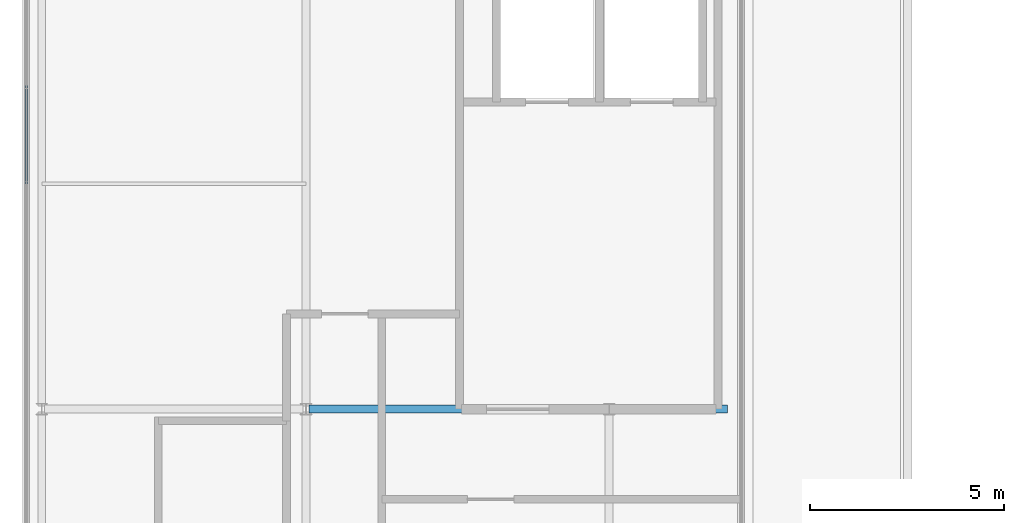
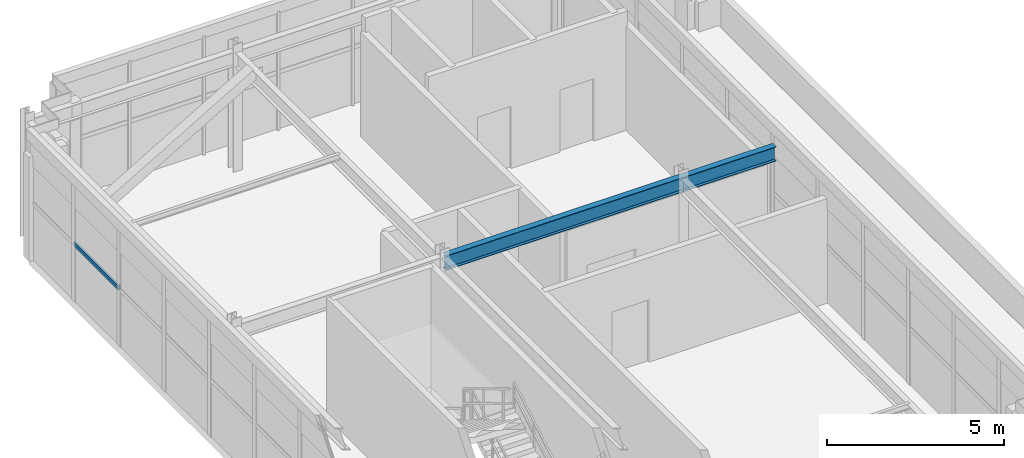
# One storey, part 9 of 28: 1 beam, 1 member, 1 element without a shape of its own.
"""IFC4 building model written with IfcOpenShell, lengths in metres."""

from ifc_helpers import new_model, si_unit, direction, frame, origin, origin_2d, place, context, subcontext, project, spatial, hollow_rectangle, i_section, extrude, source, transform, mapped, material, material_profile, profile_set, type_object, element, aggregate, save


model = new_model("IFC4")

# Units and contexts
model_context = context("Model", 3, precision=1e-05, world=origin(), true_north=direction((0.0, 1.0)))
body_context = subcontext(model_context, "Body", "Model", "MODEL_VIEW")
ifc_project = project(units=[si_unit("LENGTHUNIT", "METRE"), si_unit("AREAUNIT", "SQUARE_METRE"), si_unit("VOLUMEUNIT", "CUBIC_METRE"), si_unit("PLANEANGLEUNIT", "RADIAN"), si_unit("MASSUNIT", "GRAM", prefix="KILO")], contexts=[model_context])

# Site, building, storey
site_placement = place(None, origin())
site = spatial("IfcSite", under=ifc_project, at=site_placement, CompositionType="ELEMENT")
building_placement = place(site_placement, origin())
building = spatial("IfcBuilding", under=site, at=building_placement, Name="Trelvane Seafront Commons", CompositionType="ELEMENT")
storey_placement = place(building_placement, frame((0.0, 0.0, 312.300048828125)))
storey = spatial("IfcBuildingStorey", under=building, at=storey_placement, Name="L81", CompositionType="ELEMENT", Elevation=312.300048828125)

# Beam
ifc_material_1 = material(Name="Steel SM355 (S355)", Category="steel")
ifc_material_profile_1 = material_profile(ifc_material_1, i_section(OverallWidth=0.199951171875, OverallDepth=0.5, WebThickness=0.010009765625, FlangeThickness=0.01611328125, at=origin_2d()), Name="H-500x200x10x16")
ifc_profile_set_1 = profile_set([ifc_material_profile_1], Name="Steel SM355 (S355)")
beam_type = type_object("IfcBeamType", Name="STR-CROWN-FRAME-RING", PredefinedType="SPANDREL", material=ifc_profile_set_1)
shared_shape_1 = source(origin(), body_context, "Body", "SweptSolid", [
    extrude(i_section(OverallWidth=0.199951171875, OverallDepth=0.5, WebThickness=0.010009765625, FlangeThickness=0.01611328125, at=origin_2d()), origin(), (0.0, 0.0, 1.0), 10.77490234375),
])
beam_placement = place(storey_placement, frame((15.675048828125, 33.39990234375, 3.85986328125), z_axis=(1.0, 0.0, 0.0), x_axis=(0.0, 1.0, 0.0)))
element("IfcBeam", 1, at=beam_placement, inside=storey, type_object=beam_type, Name="L81 CROWN FRAME Ring Beam G-06", PredefinedType="SPANDREL", context=body_context, shape_type="MappedRepresentation", body=[
    mapped(shared_shape_1, transform((0.0, 0.0, 0.0), x_axis=(1.0, 0.0, 0.0), y_axis=(0.0, 1.0, 0.0), z_axis=(0.0, 0.0, 1.0), scale=1.0)),
])

# Curtain wall, member
ifc_material_2 = material(Name="Anodised pale-silver aluminium", Category="aluminium")
curtain_wall_type = type_object("IfcCurtainWallType", Name="ARCH-CW6-CROWN", PredefinedType="NOTDEFINED", material=ifc_material_2)
curtain_wall_placement = place(storey_placement, origin())
curtain_wall = element("IfcCurtainWall", 2, at=curtain_wall_placement, inside=storey, type_object=curtain_wall_type, Name="CW-L81-0144", PredefinedType="NOTDEFINED")
ifc_material_profile_2 = material_profile(ifc_material_2, hollow_rectangle(XDim=0.074951171875, YDim=0.139892578125, WallThickness=0.00390625, at=origin_2d()), Name="TRAN-75x140x4")
ifc_profile_set_2 = profile_set([ifc_material_profile_2], Name="Anodised pale-silver aluminium")
member_type = type_object("IfcMemberType", Name="ARCH-CW-TRAN-140", PredefinedType="USERDEFINED", material=ifc_profile_set_2)
shared_shape_2 = source(origin(), body_context, "Body", "SweptSolid", [
    extrude(hollow_rectangle(XDim=0.074951171875, YDim=0.139892578125, WallThickness=0.00390625, at=origin_2d()), origin(), (0.0, 0.0, 1.0), 2.5361328125),
])
member_placement = place(storey_placement, frame((8.39990234375, 39.19189453125, 1.972900390625), z_axis=(0.0, 1.0, 0.0), x_axis=(-1.0, 0.0, 0.0)))
member = element("IfcMember", 3, at=member_placement, type_object=member_type, Name="CW-L81-0144-T08", ObjectType="TRANSOM", PredefinedType="USERDEFINED", context=body_context, shape_type="MappedRepresentation", body=[
    mapped(shared_shape_2, transform((0.0, 0.0, 0.0), x_axis=(1.0, 0.0, 0.0), y_axis=(0.0, 1.0, 0.0), z_axis=(0.0, 0.0, 1.0), scale=1.0)),
])
aggregate(curtain_wall, [member])

save(model, "model.ifc")
